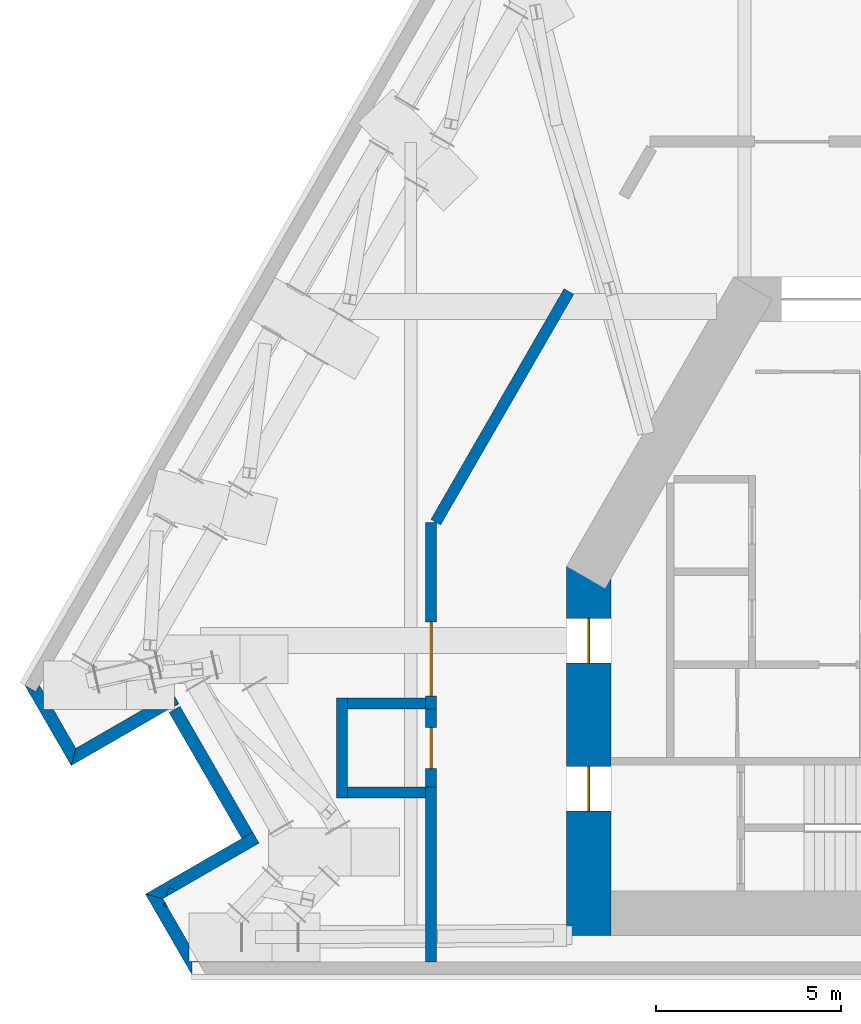
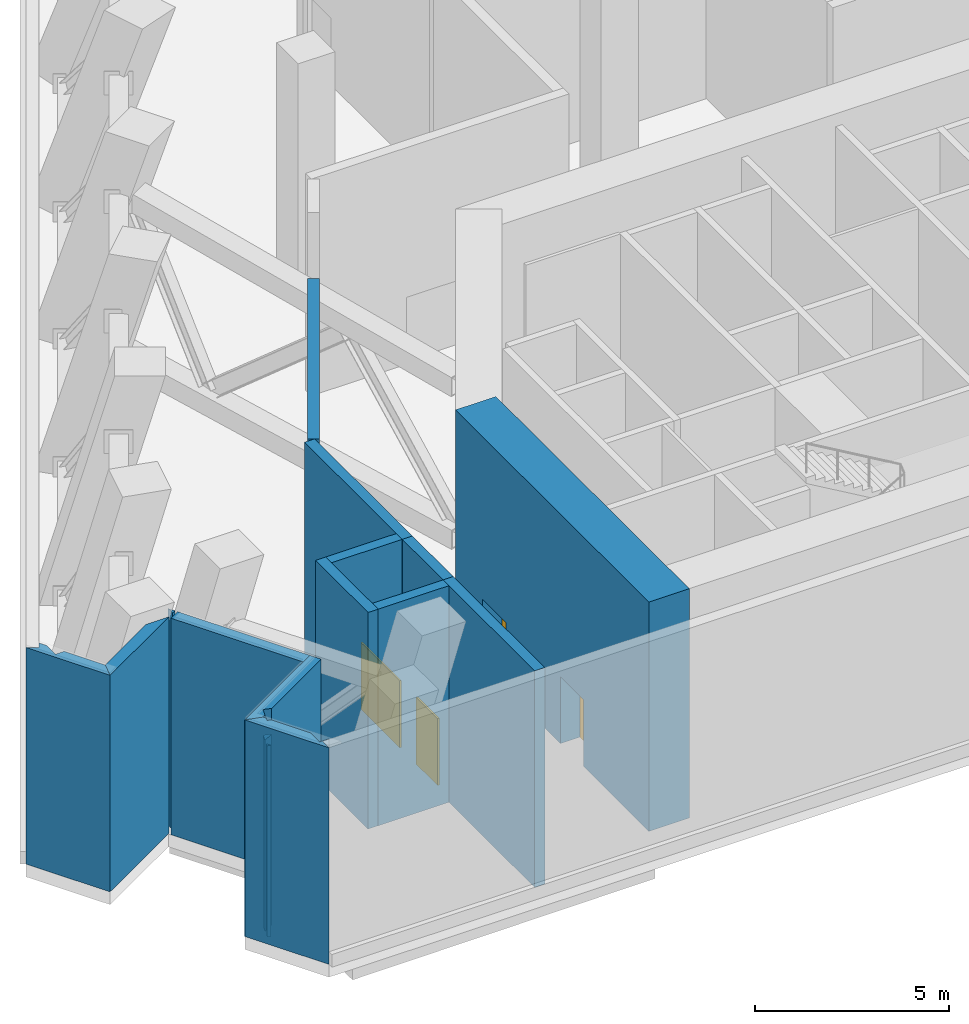
# One storey, part 5 of 13: 16 walls, 4 doors, 4 openings.
"""IFC4 building model written with IfcOpenShell, lengths in metres."""

from ifc_helpers import new_model, si_unit, direction, frame, frame_2d, origin, place, context, subcontext, project, spatial, polyline, rectangle, outline, extrude, material, layer, layer_set, type_object, element, fill, save


model = new_model("IFC4")

# Units and contexts
model_context = context("Model", 3, precision=1e-05, world=origin(), true_north=direction((0.0, 1.0)))
body_context = subcontext(model_context, "Body", "Model", "MODEL_VIEW")
ifc_project = project(units=[si_unit("LENGTHUNIT", "METRE"), si_unit("AREAUNIT", "SQUARE_METRE"), si_unit("VOLUMEUNIT", "CUBIC_METRE"), si_unit("PLANEANGLEUNIT", "RADIAN"), si_unit("MASSUNIT", "GRAM", prefix="KILO")], contexts=[model_context])

# Site, building, storey
site_placement = place(None, origin())
site = spatial("IfcSite", under=ifc_project, at=site_placement, CompositionType="ELEMENT")
building_placement = place(site_placement, origin())
building = spatial("IfcBuilding", under=site, at=building_placement, Name="Fogline Exchange Tower", CompositionType="ELEMENT")
storey_placement = place(building_placement, frame((0.0, 0.0, 174.89990234375)))
storey = spatial("IfcBuildingStorey", under=building, at=storey_placement, Name="L39", CompositionType="ELEMENT", Elevation=174.89990234375)

# Walls
ifc_material_1 = material(Name="Brick masonry", Category="masonry")
ifc_layer_1 = layer(ifc_material_1, 0.340087890625)
ifc_layer_set_1 = layer_set([ifc_layer_1], Name="FW3")
wall_type_1 = type_object("IfcWallType", Name="FW3", PredefinedType="SOLIDWALL", material=ifc_layer_set_1)
wall_1_placement = place(storey_placement, origin())
element("IfcWall", 1, at=wall_1_placement, inside=storey, type_object=wall_type_1, Name="Brick wall L39 SW-c1", PredefinedType="SOLIDWALL", context=body_context, shape_type="SweptSolid", body=[
    extrude(outline(polyline([(-27.15380859375, 5.6279296875), (-28.40478515625, 7.794921875), (-28.404296875, 7.79541015625), (-28.109375, 7.625), (-28.010986328125, 7.79541015625), (-27.89892578125, 7.601318359375), (-27.89892578125, 7.144287109375), (-27.635009765625, 7.144287109375), (-27.028564453125, 6.09375), (-27.1533203125, 5.6279296875), (-27.15380859375, 5.6279296875)])), origin(), (0.0, 0.0, 1.0), 6.800048828125),
])
wall_2_placement = place(storey_placement, origin())
element("IfcWall", 2, at=wall_2_placement, inside=storey, type_object=wall_type_1, Name="Brick wall L39 SW-s1", PredefinedType="SOLIDWALL", context=body_context, shape_type="SweptSolid", body=[
    extrude(outline(polyline([(-25.210693359375, 7.144287109375), (-24.5283203125, 7.144287109375), (-24.555419921875, 7.128662109375), (-27.154296875, 5.628173828125), (-27.154541015625, 5.62841796875), (-27.02978515625, 6.093994140625), (-25.210693359375, 7.144287109375)])), origin(), (0.0, 0.0, 1.0), 6.800048828125),
])
wall_3_placement = place(storey_placement, origin())
element("IfcWall", 3, at=wall_3_placement, inside=storey, type_object=wall_type_1, Name="Brick wall L39 SW-s1", PredefinedType="SOLIDWALL", context=body_context, shape_type="SweptSolid", body=[
    extrude(outline(polyline([(-24.26025390625, 7.298828125), (-24.36474609375, 7.23876953125), (-24.36474609375, 7.479736328125), (-24.26025390625, 7.298828125)])), origin(), (0.0, 0.0, 1.0), 6.800048828125),
])
wall_4_placement = place(storey_placement, frame((-24.3671875, 7.142822265625, 0.0), z_axis=(0.0, 0.0, 1.0), x_axis=(0.499979589489, -0.866037187478, 0.0)))
element("IfcWall", 4, at=wall_4_placement, inside=storey, type_object=wall_type_1, Name="Brick wall L39 SW-bk", PredefinedType="SOLIDWALL", context=body_context, shape_type="SweptSolid", body=[
    extrude(rectangle(XDim=3.917724609375, YDim=0.340087890625, at=frame_2d((1.958984375, 0.0))), origin(), (0.0, 0.0, 1.0), 6.800048828125),
])
wall_5_placement = place(storey_placement, origin())
element("IfcWall", 5, at=wall_5_placement, inside=storey, type_object=wall_type_1, Name="Brick wall L39 SW-s2", PredefinedType="SOLIDWALL", context=body_context, shape_type="SweptSolid", body=[
    extrude(outline(polyline([(-24.59228515625, 2.095947265625), (-24.517333984375, 2.33544921875), (-24.297119140625, 2.266357421875), (-24.59228515625, 2.095947265625)])), origin(), (0.0, 0.0, 1.0), 6.0),
])
wall_6_placement = place(storey_placement, origin())
element("IfcWall", 6, at=wall_6_placement, inside=storey, type_object=wall_type_1, Name="Brick wall L39 SW-s2", PredefinedType="SOLIDWALL", context=body_context, shape_type="SweptSolid", body=[
    extrude(outline(polyline([(-22.555908203125, 3.66552734375), (-22.260986328125, 3.8359375), (-22.09033203125, 3.540283203125), (-24.297119140625, 2.266357421875), (-24.517333984375, 2.33544921875), (-24.59228515625, 2.095947265625), (-24.689208984375, 2.0400390625), (-25.15478515625, 2.164794921875), (-25.155029296875, 2.1650390625), (-22.555908203125, 3.66552734375)])), origin(), (0.0, 0.0, 1.0), 6.800048828125),
])
wall_7_placement = place(storey_placement, origin())
element("IfcWall", 7, at=wall_7_placement, inside=storey, type_object=wall_type_1, Name="Brick wall L39 SW-c2", PredefinedType="SOLIDWALL", context=body_context, shape_type="SweptSolid", body=[
    extrude(outline(polyline([(-24.56494140625, 1.826171875), (-24.666748046875, 1.858154296875), (-24.637451171875, 1.951904296875), (-24.56494140625, 1.826171875)])), origin(), (0.0, 0.0, 1.0), 6.0),
])
wall_8_placement = place(storey_placement, origin())
element("IfcWall", 8, at=wall_8_placement, inside=storey, type_object=wall_type_1, Name="Brick wall L39 SW-c2", PredefinedType="SOLIDWALL", context=body_context, shape_type="SweptSolid", body=[
    extrude(outline(polyline([(-23.976318359375, 0.35009765625), (-23.71240234375, 0.35009765625), (-23.706298828125, 0.33935546875), (-23.903076171875, 0.33935546875), (-23.903076171875, -0.0009765625), (-23.903564453125, -0.001220703125), (-25.15478515625, 2.165771484375), (-25.154541015625, 2.166015625), (-24.68896484375, 2.041015625), (-24.637451171875, 1.951904296875), (-24.666748046875, 1.858154296875), (-24.56494140625, 1.826171875), (-23.976318359375, 0.80712890625), (-23.976318359375, 0.35009765625)])), origin(), (0.0, 0.0, 1.0), 6.800048828125),
])
ifc_material_2 = material(Name="Concrete C40", Category="concrete")
ifc_layer_2 = layer(ifc_material_2, 0.300048828125)
ifc_layer_set_2 = layer_set([ifc_layer_2], Name="PP4")
wall_type_2 = type_object("IfcWallType", Name="PP4", PredefinedType="SOLIDWALL", material=ifc_layer_set_2)
wall_9_placement = place(storey_placement, frame((-17.325927734375, 12.19189453125, 0.0), z_axis=(0.0, 0.0, 1.0), x_axis=(0.499983489979, 0.866034935639, 0.0)))
element("IfcWall", 9, at=wall_9_placement, inside=storey, type_object=wall_type_2, Name="PP4 partition", PredefinedType="SOLIDWALL", context=body_context, shape_type="SweptSolid", body=[
    extrude(rectangle(XDim=7.178466796875, YDim=0.300048828125, at=frame_2d((3.58935546875, 0.0))), origin(), (0.0, 0.0, 1.0), 6.800048828125),
])

# Wall, opening, door
wall_10_placement = place(storey_placement, frame((-17.449951171875, 7.14990234375, 0.0), z_axis=(0.0, 0.0, 1.0), x_axis=(0.0, 1.0, 0.0)))
wall_10 = element("IfcWall", 10, at=wall_10_placement, inside=storey, type_object=wall_type_2, Name="PP4 partition", PredefinedType="SOLIDWALL", context=body_context, shape_type="SweptSolid", body=[
    extrude(rectangle(XDim=5.02734375, YDim=0.300048828125, at=frame_2d((2.513671875, 0.0))), origin(), (0.0, 0.0, 1.0), 6.800048828125),
])
opening_1_placement = place(wall_10_placement, frame((0.35009765625, 0.0, 0.0)))
opening_1 = element("IfcOpeningElement", 11, at=opening_1_placement, cuts=wall_10, Name="Opening L39-D003", PredefinedType="OPENING", context=body_context, shape_type="SweptSolid", body=[
    extrude(rectangle(XDim=2.0, YDim=2.10009765625, at=frame_2d((1.0, 1.050048828125))), frame((0.0, 0.16015625, 0.0), z_axis=(0.0, -1.0, 0.0), x_axis=(1.0, 0.0, 0.0)), (0.0, 0.0, 1.0), 0.320068359375),
])
ifc_material_3 = material(Name="Steel Q235B", Category="steel")
door_type_1 = type_object("IfcDoorType", Name="PD6", OperationType="DOUBLE_DOOR_SINGLE_SWING", PredefinedType="DOOR", material=ifc_material_3)
door_1_placement = place(opening_1_placement, frame((2.0, 0.0, 0.0), z_axis=(0.0, 0.0, 1.0), x_axis=(-1.0, 0.0, 0.0)))
door_1 = element("IfcDoor", 12, at=door_1_placement, inside=storey, type_object=door_type_1, Name="L39-D003", OperationType="DOUBLE_DOOR_SINGLE_SWING", OverallHeight=2.10009765625, OverallWidth=2.0, PredefinedType="DOOR", context=body_context, shape_type="SweptSolid", body=[
    extrude(rectangle(XDim=2.0, YDim=2.10009765625, at=frame_2d((1.0, 1.050048828125))), frame((0.0, 0.02490234375, 0.0), z_axis=(0.0, -1.0, 0.0), x_axis=(1.0, 0.0, 0.0)), (0.0, 0.0, 1.0), 0.050048828125),
])
fill(opening_1, door_1)

# Walls
wall_11_placement = place(storey_placement, frame((-17.449951171875, 0.340087890625, 0.0), z_axis=(0.0, 0.0, 1.0), x_axis=(0.0, 1.0, 0.0)))
element("IfcWall", 13, at=wall_11_placement, inside=storey, type_object=wall_type_2, Name="PP4 partition", PredefinedType="SOLIDWALL", context=body_context, shape_type="SweptSolid", body=[
    extrude(rectangle(XDim=4.7099609375, YDim=0.300048828125, at=frame_2d((2.35498046875, 0.0))), origin(), (0.0, 0.0, 1.0), 6.800048828125),
])
wall_12_placement = place(storey_placement, frame((-19.85009765625, 4.75, 0.0), z_axis=(0.0, 0.0, 1.0), x_axis=(0.0, 1.0, 0.0)))
element("IfcWall", 14, at=wall_12_placement, inside=storey, type_object=wall_type_2, Name="PP4 partition", PredefinedType="SOLIDWALL", context=body_context, shape_type="SweptSolid", body=[
    extrude(rectangle(XDim=2.699951171875, YDim=0.300048828125, at=frame_2d((1.35009765625, 0.0))), origin(), (0.0, 0.0, 1.0), 6.800048828125),
])

# Wall, opening, door
wall_13_placement = place(storey_placement, frame((-17.449951171875, 5.050048828125, 0.0), z_axis=(0.0, 0.0, 1.0), x_axis=(0.0, 1.0, 0.0)))
wall_13 = element("IfcWall", 15, at=wall_13_placement, inside=storey, type_object=wall_type_2, Name="PP4 partition", PredefinedType="SOLIDWALL", context=body_context, shape_type="SweptSolid", body=[
    extrude(rectangle(XDim=2.099853515625, YDim=0.300048828125, at=frame_2d((1.0498046875, 0.0))), origin(), (0.0, 0.0, 1.0), 6.800048828125),
])
opening_2_placement = place(wall_13_placement, frame((0.5, 0.0, 0.0)))
opening_2 = element("IfcOpeningElement", 16, at=opening_2_placement, cuts=wall_13, Name="Opening L39-D001", PredefinedType="OPENING", context=body_context, shape_type="SweptSolid", body=[
    extrude(rectangle(XDim=1.10009765625, YDim=2.10009765625, at=frame_2d((0.550048828125, 1.050048828125))), frame((0.0, 0.16015625, 0.0), z_axis=(0.0, -1.0, 0.0), x_axis=(1.0, 0.0, 0.0)), (0.0, 0.0, 1.0), 0.320068359375),
])
door_type_2 = type_object("IfcDoorType", Name="PD5", OperationType="SINGLE_SWING_LEFT", PredefinedType="DOOR", material=ifc_material_3)
door_2_placement = place(opening_2_placement, origin())
door_2 = element("IfcDoor", 17, at=door_2_placement, inside=storey, type_object=door_type_2, Name="L39-D001", OperationType="SINGLE_SWING_LEFT", OverallHeight=2.10009765625, OverallWidth=1.10009765625, PredefinedType="DOOR", context=body_context, shape_type="SweptSolid", body=[
    extrude(rectangle(XDim=1.10009765625, YDim=2.10009765625, at=frame_2d((0.550048828125, 1.050048828125))), frame((0.0, 0.02490234375, 0.0), z_axis=(0.0, -1.0, 0.0), x_axis=(1.0, 0.0, 0.0)), (0.0, 0.0, 1.0), 0.050048828125),
])
fill(opening_2, door_2)

# Walls
for number, where, z_axis, x_axis, name in (
    (18, (-17.60009765625, 4.89990234375, 0.0), (0.0, 0.0, 1.0), (-1.0, 0.0, 0.0), "PP4 partition"),
    (19, (-19.699951171875, 7.300048828125, 0.0), (0.0, 0.0, 1.0), (1.0, 0.0, 0.0), "PP4 partition"),
):
    element("IfcWall", number, at=place(storey_placement, frame(where, z_axis=z_axis, x_axis=x_axis)), inside=storey, type_object=wall_type_2, Name=name, PredefinedType="SOLIDWALL", context=body_context, shape_type="SweptSolid", body=[
        extrude(rectangle(XDim=2.099853515625, YDim=0.300048828125, at=frame_2d((1.0498046875, 0.0))), origin(), (0.0, 0.0, 1.0), 6.800048828125),
    ])

# Wall, openings, doors
ifc_material_4 = material(Name="Concrete C60", Category="concrete")
ifc_layer_3 = layer(ifc_material_4, 1.199951171875)
ifc_layer_set_3 = layer_set([ifc_layer_3], Name="SW02")
wall_type_3 = type_object("IfcWallType", Name="SW02", PredefinedType="SHEAR", material=ifc_layer_set_3)
wall_14_placement = place(storey_placement, frame((-13.199951171875, 10.9990234375, 0.0), z_axis=(0.0, 0.0, 1.0), x_axis=(0.0, -1.0, 0.0)))
wall_14 = element("IfcWall", 20, at=wall_14_placement, inside=storey, type_object=wall_type_3, Name="L39-W906", PredefinedType="SHEAR", context=body_context, shape_type="SweptSolid", body=[
    extrude(rectangle(XDim=9.948974609375, YDim=1.199951171875, at=frame_2d((4.974609375, 0.0))), origin(), (0.0, 0.0, 1.0), 7.2001953125),
])
opening_3_placement = place(wall_14_placement, frame((5.39892578125, 0.0, 0.0)))
opening_3 = element("IfcOpeningElement", 21, at=opening_3_placement, cuts=wall_14, Name="Opening L39-C012", PredefinedType="OPENING", context=body_context, shape_type="SweptSolid", body=[
    extrude(rectangle(XDim=1.199951171875, YDim=2.10009765625, at=frame_2d((0.60009765625, 1.050048828125))), frame((0.0, 0.60986328125, 0.0), z_axis=(0.0, -1.0, 0.0), x_axis=(1.0, 0.0, 0.0)), (0.0, 0.0, 1.0), 1.219970703125),
])
opening_4_placement = place(wall_14_placement, frame((1.39892578125, 0.0, 0.0)))
opening_4 = element("IfcOpeningElement", 22, at=opening_4_placement, cuts=wall_14, Name="Opening L39-C014", PredefinedType="OPENING", context=body_context, shape_type="SweptSolid", body=[
    extrude(rectangle(XDim=1.199951171875, YDim=2.10009765625, at=frame_2d((0.60009765625, 1.050048828125))), frame((0.0, 0.60986328125, 0.0), z_axis=(0.0, -1.0, 0.0), x_axis=(1.0, 0.0, 0.0)), (0.0, 0.0, 1.0), 1.219970703125),
])
ifc_material_5 = material(Name="Steel and timber fire door", Category="steel")
door_type_3 = type_object("IfcDoorType", Name="D-FR1", OperationType="SINGLE_SWING_RIGHT", PredefinedType="DOOR", material=ifc_material_5)
door_3_placement = place(opening_3_placement, origin())
door_3 = element("IfcDoor", 23, at=door_3_placement, inside=storey, type_object=door_type_3, Name="Front room door ST1", OperationType="SINGLE_SWING_LEFT", OverallHeight=2.10009765625, OverallWidth=1.199951171875, PredefinedType="DOOR", context=body_context, shape_type="SweptSolid", body=[
    extrude(rectangle(XDim=1.199951171875, YDim=2.10009765625, at=frame_2d((0.60009765625, 1.050048828125))), frame((0.0, 0.02490234375, 0.0), z_axis=(0.0, -1.0, 0.0), x_axis=(1.0, 0.0, 0.0)), (0.0, 0.0, 1.0), 0.050048828125),
])
fill(opening_3, door_3)
door_type_4 = type_object("IfcDoorType", Name="D-SV1", OperationType="SINGLE_SWING_LEFT", PredefinedType="DOOR", material=ifc_material_5)
door_4_placement = place(opening_4_placement, origin())
door_4 = element("IfcDoor", 24, at=door_4_placement, inside=storey, type_object=door_type_4, Name="Service door W", OperationType="SINGLE_SWING_LEFT", OverallHeight=2.10009765625, OverallWidth=1.199951171875, PredefinedType="DOOR", context=body_context, shape_type="SweptSolid", body=[
    extrude(rectangle(XDim=1.199951171875, YDim=2.10009765625, at=frame_2d((0.60009765625, 1.050048828125))), frame((0.0, 0.02490234375, 0.0), z_axis=(0.0, -1.0, 0.0), x_axis=(1.0, 0.0, 0.0)), (0.0, 0.0, 1.0), 0.050048828125),
])
fill(opening_4, door_4)

save(model, "model.ifc")
